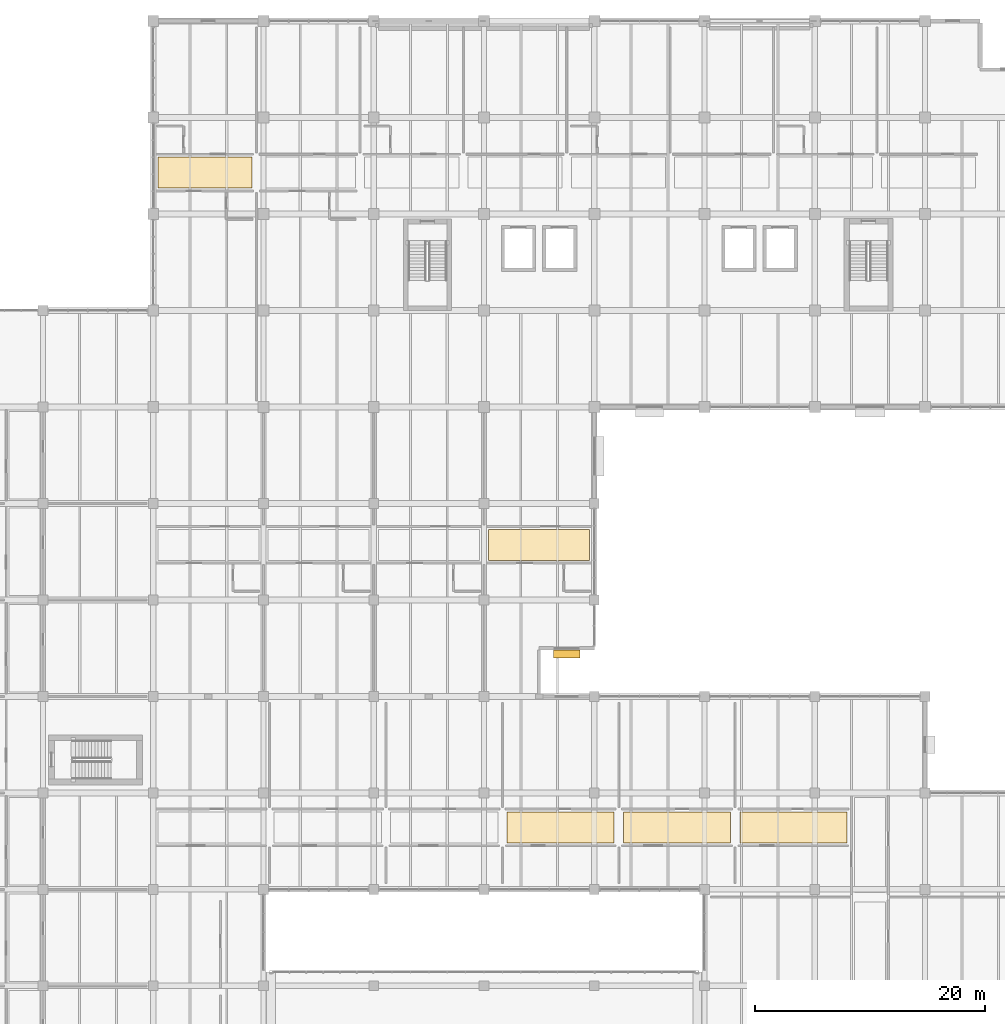
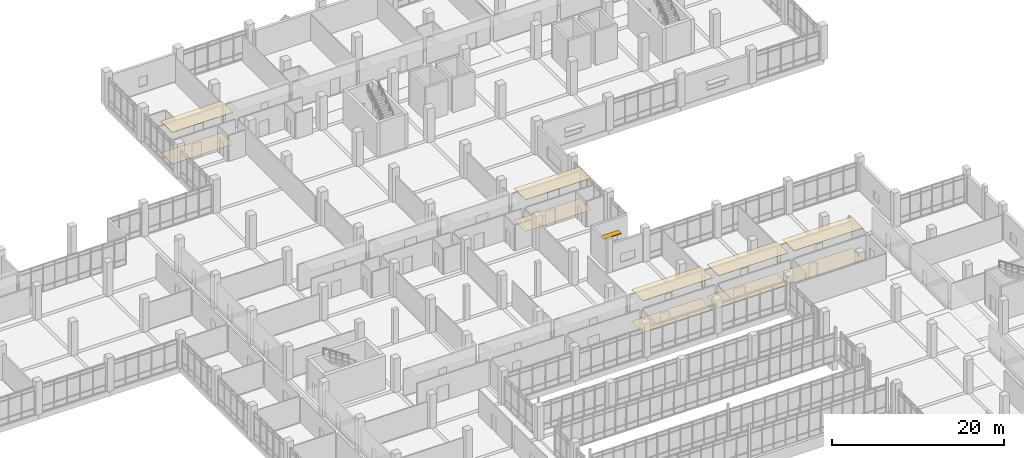
# One storey, part 148 of 152: 10 coverings, 1 shading device.
"""IFC4 building model written with IfcOpenShell, lengths in metres."""

from ifc_helpers import new_model, si_unit, direction, frame, origin, origin_2d, place, context, subcontext, project, spatial, polyline, rectangle, outline, extrude, material, layer, layer_set, type_object, element, save


model = new_model("IFC4")

# Units and contexts
model_context = context("Model", 3, precision=1e-05, world=origin(), true_north=direction((0.0, 1.0)))
body_context = subcontext(model_context, "Body", "Model", "MODEL_VIEW")
ifc_project = project(units=[si_unit("LENGTHUNIT", "METRE"), si_unit("AREAUNIT", "SQUARE_METRE"), si_unit("VOLUMEUNIT", "CUBIC_METRE"), si_unit("PLANEANGLEUNIT", "RADIAN"), si_unit("MASSUNIT", "GRAM", prefix="KILO")], contexts=[model_context])

# Site, building, storey
site_placement = place(None, origin())
site = spatial("IfcSite", under=ifc_project, at=site_placement, CompositionType="ELEMENT")
building_placement = place(site_placement, origin())
building = spatial("IfcBuilding", under=site, at=building_placement, Name="Oolite Switchyard Hospital", CompositionType="ELEMENT")
storey_placement = place(building_placement, frame((0.0, 0.0, 5.10009765625)))
storey = spatial("IfcBuildingStorey", under=building, at=storey_placement, Name="L01", CompositionType="ELEMENT", Elevation=5.10009765625)

# Coverings
ifc_material_1 = material(Name="Hygienic washable mineral-fibre acoustic ceiling")
ifc_layer_1 = layer(ifc_material_1, 0.0400390625)
ifc_layer_set_1 = layer_set([ifc_layer_1], Name="COV-CEIL-AC60")
covering_type_1 = type_object("IfcCoveringType", Name="COV-CEIL-AC60", PredefinedType="CEILING", material=ifc_layer_set_1)
covering_1_placement = place(storey_placement, frame((0.0, 0.0, 4.5)))
element("IfcCovering", 1, at=covering_1_placement, inside=storey, type_object=covering_type_1, Name="L01 Ambulatory Surgery Link Corridor L01 Ceiling 4", PredefinedType="CEILING", context=body_context, shape_type="SweptSolid", body=[
    extrude(outline(polyline([(163.60009765625, 87.449951171875), (172.39990234375, 87.449951171875), (172.39990234375, 90.14990234375), (163.60009765625, 90.14990234375), (163.60009765625, 87.449951171875)])), origin(), (0.0, 0.0, 1.0), 0.039794921875),
])
covering_2_placement = place(storey_placement, frame((0.0, 0.0, 4.5)))
element("IfcCovering", 2, at=covering_2_placement, inside=storey, type_object=covering_type_1, Name="L01 East Ambulatory Surgery Ward Corridor Ceiling 1", PredefinedType="CEILING", context=body_context, shape_type="SweptSolid", body=[
    extrude(outline(polyline([(134.800048828125, 119.85009765625), (143.0, 119.85009765625), (143.0, 122.550048828125), (134.800048828125, 122.550048828125), (134.800048828125, 119.85009765625)])), origin(), (0.0, 0.0, 1.0), 0.039794921875),
])
covering_3_placement = place(storey_placement, frame((0.0, 0.0, 4.5)))
element("IfcCovering", 3, at=covering_3_placement, inside=storey, type_object=covering_type_1, Name="L01 Outpatient Rehabilitation Clinic Corridor L01 Ceiling 4", PredefinedType="CEILING", context=body_context, shape_type="SweptSolid", body=[
    extrude(outline(polyline([(165.198974609375, 62.85009765625), (174.531982421875, 62.85009765625), (174.531982421875, 65.550048828125), (165.198974609375, 65.550048828125), (165.198974609375, 62.85009765625)])), origin(), (0.0, 0.0, 1.0), 0.039794921875),
])
covering_4_placement = place(storey_placement, frame((0.0, 0.0, 4.5)))
element("IfcCovering", 4, at=covering_4_placement, inside=storey, type_object=covering_type_1, Name="L01 Outpatient Rehabilitation Clinic Corridor L01 Ceiling 5", PredefinedType="CEILING", context=body_context, shape_type="SweptSolid", body=[
    extrude(outline(polyline([(175.33203125, 62.85009765625), (184.6650390625, 62.85009765625), (184.6650390625, 65.550048828125), (175.33203125, 65.550048828125), (175.33203125, 62.85009765625)])), origin(), (0.0, 0.0, 1.0), 0.039794921875),
])
covering_5_placement = place(storey_placement, frame((0.0, 0.0, 4.5)))
element("IfcCovering", 5, at=covering_5_placement, inside=storey, type_object=covering_type_1, Name="L01 Outpatient Rehabilitation Clinic Corridor L01 Ceiling 6", PredefinedType="CEILING", context=body_context, shape_type="SweptSolid", body=[
    extrude(outline(polyline([(185.465087890625, 62.85009765625), (194.798095703125, 62.85009765625), (194.798095703125, 65.550048828125), (185.465087890625, 65.550048828125), (185.465087890625, 62.85009765625)])), origin(), (0.0, 0.0, 1.0), 0.039794921875),
])
ifc_material_2 = material(Name="Conductive homogeneous sheet vinyl flooring")
ifc_layer_2 = layer(ifc_material_2, 0.014892578125)
ifc_layer_set_2 = layer_set([ifc_layer_2], Name="COV-FLR-ESD15")
covering_type_2 = type_object("IfcCoveringType", Name="COV-FLR-ESD15", PredefinedType="FLOORING", material=ifc_layer_set_2)
covering_6_placement = place(storey_placement, origin())
element("IfcCovering", 6, at=covering_6_placement, inside=storey, type_object=covering_type_2, Name="L01 Ambulatory Surgery Link Corridor L01 Flooring 4", PredefinedType="FLOORING", context=body_context, shape_type="SweptSolid", body=[
    extrude(outline(polyline([(163.60009765625, 87.449951171875), (172.39990234375, 87.449951171875), (172.39990234375, 90.14990234375), (163.60009765625, 90.14990234375), (163.60009765625, 87.449951171875)])), origin(), (0.0, 0.0, 1.0), 0.014892578125),
])
covering_7_placement = place(storey_placement, origin())
element("IfcCovering", 7, at=covering_7_placement, inside=storey, type_object=covering_type_2, Name="L01 East Ambulatory Surgery Ward Corridor Flooring 1", PredefinedType="FLOORING", context=body_context, shape_type="SweptSolid", body=[
    extrude(outline(polyline([(134.800048828125, 119.85009765625), (143.0, 119.85009765625), (143.0, 122.550048828125), (134.800048828125, 122.550048828125), (134.800048828125, 119.85009765625)])), origin(), (0.0, 0.0, 1.0), 0.014892578125),
])
covering_8_placement = place(storey_placement, origin())
element("IfcCovering", 8, at=covering_8_placement, inside=storey, type_object=covering_type_2, Name="L01 Outpatient Rehabilitation Clinic Corridor L01 Flooring 4", PredefinedType="FLOORING", context=body_context, shape_type="SweptSolid", body=[
    extrude(outline(polyline([(165.198974609375, 62.85009765625), (174.531982421875, 62.85009765625), (174.531982421875, 65.550048828125), (165.198974609375, 65.550048828125), (165.198974609375, 62.85009765625)])), origin(), (0.0, 0.0, 1.0), 0.014892578125),
])
covering_9_placement = place(storey_placement, origin())
element("IfcCovering", 9, at=covering_9_placement, inside=storey, type_object=covering_type_2, Name="L01 Outpatient Rehabilitation Clinic Corridor L01 Flooring 5", PredefinedType="FLOORING", context=body_context, shape_type="SweptSolid", body=[
    extrude(outline(polyline([(175.33203125, 62.85009765625), (184.6650390625, 62.85009765625), (184.6650390625, 65.550048828125), (175.33203125, 65.550048828125), (175.33203125, 62.85009765625)])), origin(), (0.0, 0.0, 1.0), 0.014892578125),
])
covering_10_placement = place(storey_placement, origin())
element("IfcCovering", 10, at=covering_10_placement, inside=storey, type_object=covering_type_2, Name="L01 Outpatient Rehabilitation Clinic Corridor L01 Flooring 6", PredefinedType="FLOORING", context=body_context, shape_type="SweptSolid", body=[
    extrude(outline(polyline([(185.465087890625, 62.85009765625), (194.798095703125, 62.85009765625), (194.798095703125, 65.550048828125), (185.465087890625, 65.550048828125), (185.465087890625, 62.85009765625)])), origin(), (0.0, 0.0, 1.0), 0.014892578125),
])

# Shading device
ifc_material_3 = material(Name="Precast oolitic limestone architectural concrete C40/50", Category="masonry")
ifc_layer_3 = layer(ifc_material_3, 0.1201171875)
ifc_layer_set_3 = layer_set([ifc_layer_3], Name="SHD-BRISE-900")
shading_device_type = type_object("IfcShadingDeviceType", Name="SHD-BRISE-900", PredefinedType="AWNING", material=ifc_layer_set_3)
shading_device_placement = place(storey_placement, frame((170.39990234375, 79.300048828125, 2.059814453125), z_axis=(0.0, 0.0, 1.0), x_axis=(1.0, 0.0, 0.0)))
element("IfcShadingDevice", 11, at=shading_device_placement, inside=storey, type_object=shading_device_type, Name="L01 Classical Brise-Soleil Sunshade 20", PredefinedType="AWNING", context=body_context, shape_type="SweptSolid", body=[
    extrude(rectangle(XDim=2.2900390625, YDim=0.699951171875, at=origin_2d()), origin(), (0.0, 0.0, 1.0), 0.1201171875),
])

save(model, "model.ifc")
